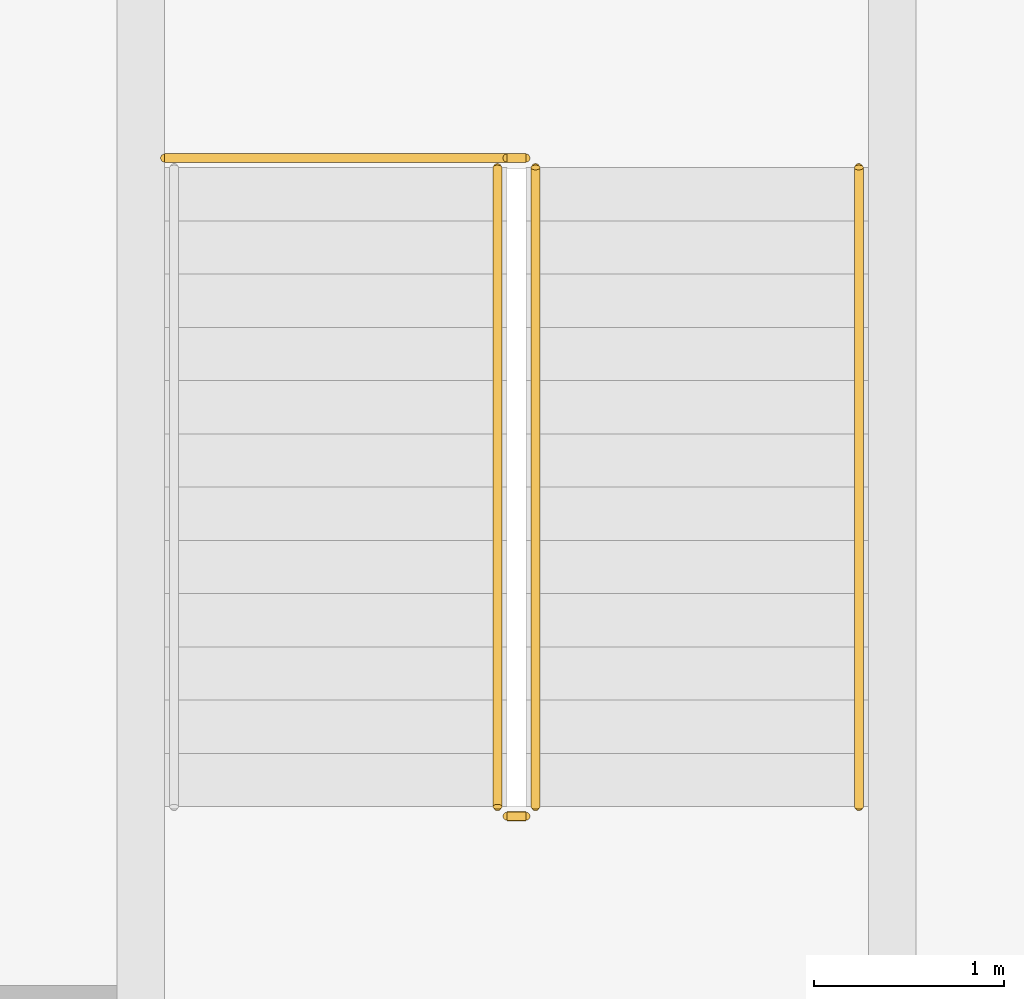
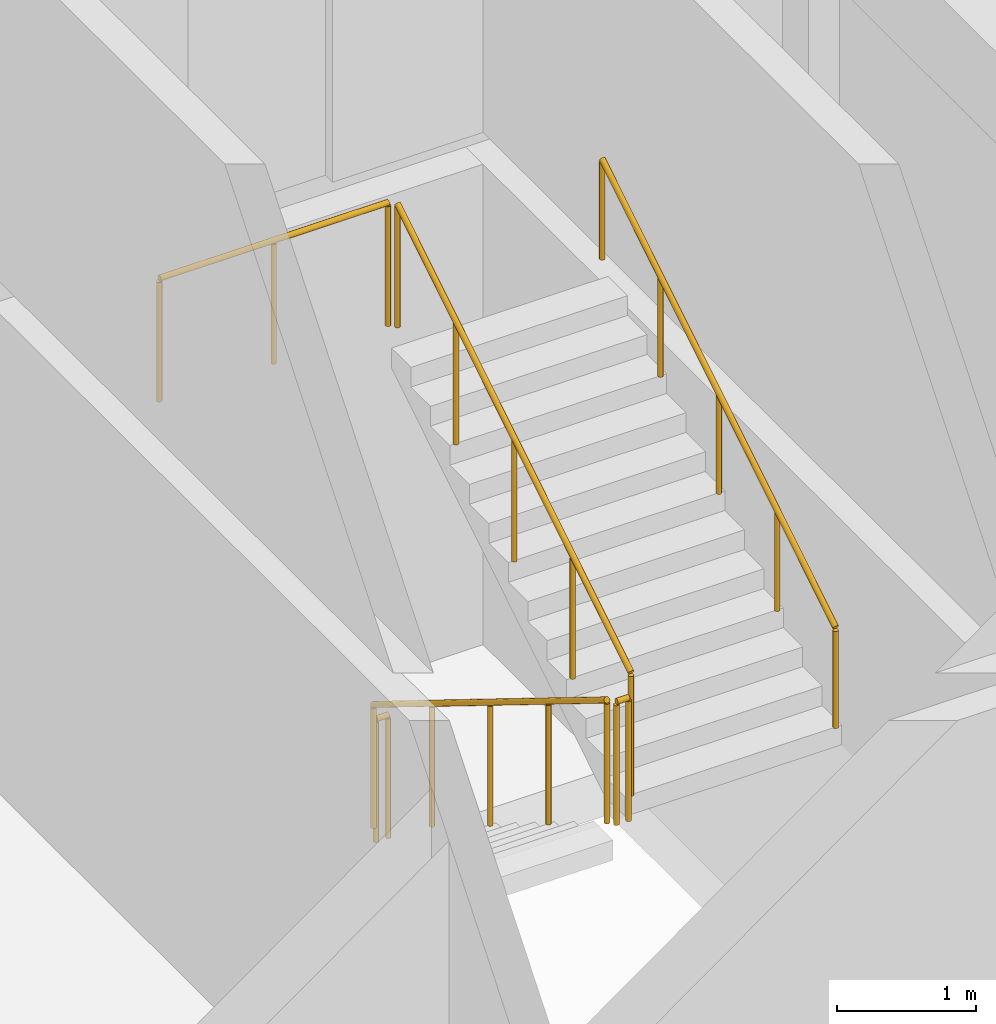
# One storey, part 29 of 35: 6 railings.
"""IFC4 building model written with IfcOpenShell, lengths in metres."""

from ifc_helpers import new_model, si_unit, direction, frame, origin, origin_2d, place, context, subcontext, project, spatial, circle, extrude, material, type_object, element, save


model = new_model("IFC4")

# Units and contexts
model_context = context("Model", 3, precision=1e-05, world=origin(), true_north=direction((0.0, 1.0)))
body_context = subcontext(model_context, "Body", "Model", "MODEL_VIEW")
ifc_project = project(units=[si_unit("LENGTHUNIT", "METRE"), si_unit("AREAUNIT", "SQUARE_METRE"), si_unit("VOLUMEUNIT", "CUBIC_METRE"), si_unit("PLANEANGLEUNIT", "RADIAN"), si_unit("MASSUNIT", "GRAM", prefix="KILO")], contexts=[model_context])

# Site, building, storey
site_placement = place(None, origin())
site = spatial("IfcSite", under=ifc_project, at=site_placement, CompositionType="ELEMENT")
building_placement = place(site_placement, origin())
building = spatial("IfcBuilding", under=site, at=building_placement, Name="Kilnfold Tower and Market Hall", CompositionType="ELEMENT")
storey_placement = place(building_placement, frame((0.0, 0.0, 22.5)))
storey = spatial("IfcBuildingStorey", under=building, at=storey_placement, Name="L04", CompositionType="ELEMENT", Elevation=22.5)

# Railings
ifc_material_1 = material(Name="Steel S355", Category="steel")
railing_type_1 = type_object("IfcRailingType", Name="HALL STAIR GUARD 1100", PredefinedType="GUARDRAIL", material=ifc_material_1)
railing_1_placement = place(storey_placement, frame((-48.75, 13.300048828125, 0.173095703125)))
element("IfcRailing", 1, at=railing_1_placement, inside=storey, type_object=railing_type_1, Name="L04 MS2 stair guard 1", PredefinedType="GUARDRAIL", context=body_context, shape_type="SweptSolid", body=[
    extrude(circle(Radius=0.02392578125, at=origin_2d()), frame((0.0, 0.0, 1.076171875), z_axis=(0.0, -0.850623216509, 0.525775754039), x_axis=(1.0, 0.0, 0.0)), (0.0, 0.0, 1.0), 3.9501953125),
    extrude(circle(Radius=0.02099609375, at=origin_2d()), origin(), (0.0, 0.0, 1.0), 1.052001953125),
    extrude(circle(Radius=0.02099609375, at=origin_2d()), frame((0.0, -0.840087890625, 0.519287109375)), (0.0, 0.0, 1.0), 1.052001953125),
    extrude(circle(Radius=0.02099609375, at=origin_2d()), frame((0.0, -1.68017578125, 1.03857421875)), (0.0, 0.0, 1.0), 1.052001953125),
    extrude(circle(Radius=0.02099609375, at=origin_2d()), frame((0.0, -2.52001953125, 1.5576171875)), (0.0, 0.0, 1.0), 1.052001953125),
    extrude(circle(Radius=0.02099609375, at=origin_2d()), frame((0.0, -3.360107421875, 2.076904296875)), (0.0, 0.0, 1.0), 1.052001953125),
])
railing_2_placement = place(storey_placement, frame((-48.699951171875, 9.889892578125, 2.25)))
element("IfcRailing", 2, at=railing_2_placement, inside=storey, type_object=railing_type_1, Name="L04 MS2 stair guard 2", PredefinedType="GUARDRAIL", context=body_context, shape_type="SweptSolid", body=[
    extrude(circle(Radius=0.02392578125, at=origin_2d()), frame((0.0, 0.0, 1.076171875), z_axis=(1.0, 0.0, 0.0), x_axis=(0.0, 1.0, 0.0)), (0.0, 0.0, 1.0), 0.099853515625),
    extrude(circle(Radius=0.02099609375, at=origin_2d()), origin(), (0.0, 0.0, 1.0), 1.052001953125),
    extrude(circle(Radius=0.02099609375, at=origin_2d()), frame((0.099853515625, 0.0, 0.0)), (0.0, 0.0, 1.0), 1.052001953125),
])
railing_3_placement = place(storey_placement, frame((-48.550048828125, 9.93994140625, 2.423095703125)))
element("IfcRailing", 3, at=railing_3_placement, inside=storey, type_object=railing_type_1, Name="L04 MS2 stair guard 3", PredefinedType="GUARDRAIL", context=body_context, shape_type="SweptSolid", body=[
    extrude(circle(Radius=0.02392578125, at=origin_2d()), frame((0.0, 0.0, 1.076171875), z_axis=(0.0, 0.850623216509, 0.525775754039), x_axis=(-1.0, 0.0, 0.0)), (0.0, 0.0, 1.0), 3.9501953125),
    extrude(circle(Radius=0.02099609375, at=origin_2d()), origin(), (0.0, 0.0, 1.0), 1.052001953125),
    extrude(circle(Radius=0.02099609375, at=origin_2d()), frame((0.0, 0.840087890625, 0.519287109375)), (0.0, 0.0, 1.0), 1.052001953125),
    extrude(circle(Radius=0.02099609375, at=origin_2d()), frame((0.0, 1.68017578125, 1.03857421875)), (0.0, 0.0, 1.0), 1.052001953125),
    extrude(circle(Radius=0.02099609375, at=origin_2d()), frame((0.0, 2.52001953125, 1.5576171875)), (0.0, 0.0, 1.0), 1.052001953125),
    extrude(circle(Radius=0.02099609375, at=origin_2d()), frame((0.0, 3.360107421875, 2.076904296875)), (0.0, 0.0, 1.0), 1.052001953125),
])
railing_4_placement = place(storey_placement, frame((-48.699951171875, 13.35009765625, 0.0)))
element("IfcRailing", 4, at=railing_4_placement, inside=storey, type_object=railing_type_1, Name="L04 MS2 stair guard 4", PredefinedType="GUARDRAIL", context=body_context, shape_type="SweptSolid", body=[
    extrude(circle(Radius=0.02392578125, at=origin_2d()), frame((0.0, 0.0, 1.076171875), z_axis=(1.0, 0.0, 0.0), x_axis=(0.0, 1.0, 0.0)), (0.0, 0.0, 1.0), 0.099853515625),
    extrude(circle(Radius=0.02099609375, at=origin_2d()), origin(), (0.0, 0.0, 1.0), 1.052001953125),
    extrude(circle(Radius=0.02099609375, at=origin_2d()), frame((0.099853515625, 0.0, 0.0)), (0.0, 0.0, 1.0), 1.052001953125),
])
railing_5_placement = place(storey_placement, frame((-50.5, 13.35009765625, 4.5)))
element("IfcRailing", 5, at=railing_5_placement, inside=storey, type_object=railing_type_1, Name="L04 MS2 top well guard 1", PredefinedType="GUARDRAIL", context=body_context, shape_type="SweptSolid", body=[
    extrude(circle(Radius=0.02392578125, at=origin_2d()), frame((0.0, 0.0, 1.076171875), z_axis=(1.0, 0.0, 0.0), x_axis=(0.0, 1.0, 0.0)), (0.0, 0.0, 1.0), 1.89990234375),
    extrude(circle(Radius=0.02099609375, at=origin_2d()), origin(), (0.0, 0.0, 1.0), 1.052001953125),
    extrude(circle(Radius=0.02099609375, at=origin_2d()), frame((0.949951171875, 0.0, 0.0)), (0.0, 0.0, 1.0), 1.052001953125),
    extrude(circle(Radius=0.02099609375, at=origin_2d()), frame((1.89990234375, 0.0, 0.0)), (0.0, 0.0, 1.0), 1.052001953125),
])
ifc_material_2 = material(Name="Steel S355", Category="steel")
railing_type_2 = type_object("IfcRailingType", Name="HALL STAIR HANDRAIL", PredefinedType="HANDRAIL", material=ifc_material_2)
railing_6_placement = place(storey_placement, frame((-46.85009765625, 9.93994140625, 2.423095703125)))
element("IfcRailing", 6, at=railing_6_placement, inside=storey, type_object=railing_type_2, Name="L04 MS2 stair handrail 2", PredefinedType="HANDRAIL", context=body_context, shape_type="SweptSolid", body=[
    extrude(circle(Radius=0.02392578125, at=origin_2d()), frame((0.0, 0.0, 0.8759765625), z_axis=(0.0, 0.850623216509, 0.525775754039), x_axis=(-1.0, 0.0, 0.0)), (0.0, 0.0, 1.0), 3.9501953125),
    extrude(circle(Radius=0.02099609375, at=origin_2d()), origin(), (0.0, 0.0, 1.0), 0.851806640625),
    extrude(circle(Radius=0.02099609375, at=origin_2d()), frame((0.0, 0.840087890625, 0.519287109375)), (0.0, 0.0, 1.0), 0.851806640625),
    extrude(circle(Radius=0.02099609375, at=origin_2d()), frame((0.0, 1.68017578125, 1.03857421875)), (0.0, 0.0, 1.0), 0.851806640625),
    extrude(circle(Radius=0.02099609375, at=origin_2d()), frame((0.0, 2.52001953125, 1.5576171875)), (0.0, 0.0, 1.0), 0.851806640625),
    extrude(circle(Radius=0.02099609375, at=origin_2d()), frame((0.0, 3.360107421875, 2.076904296875)), (0.0, 0.0, 1.0), 0.851806640625),
])

save(model, "model.ifc")
